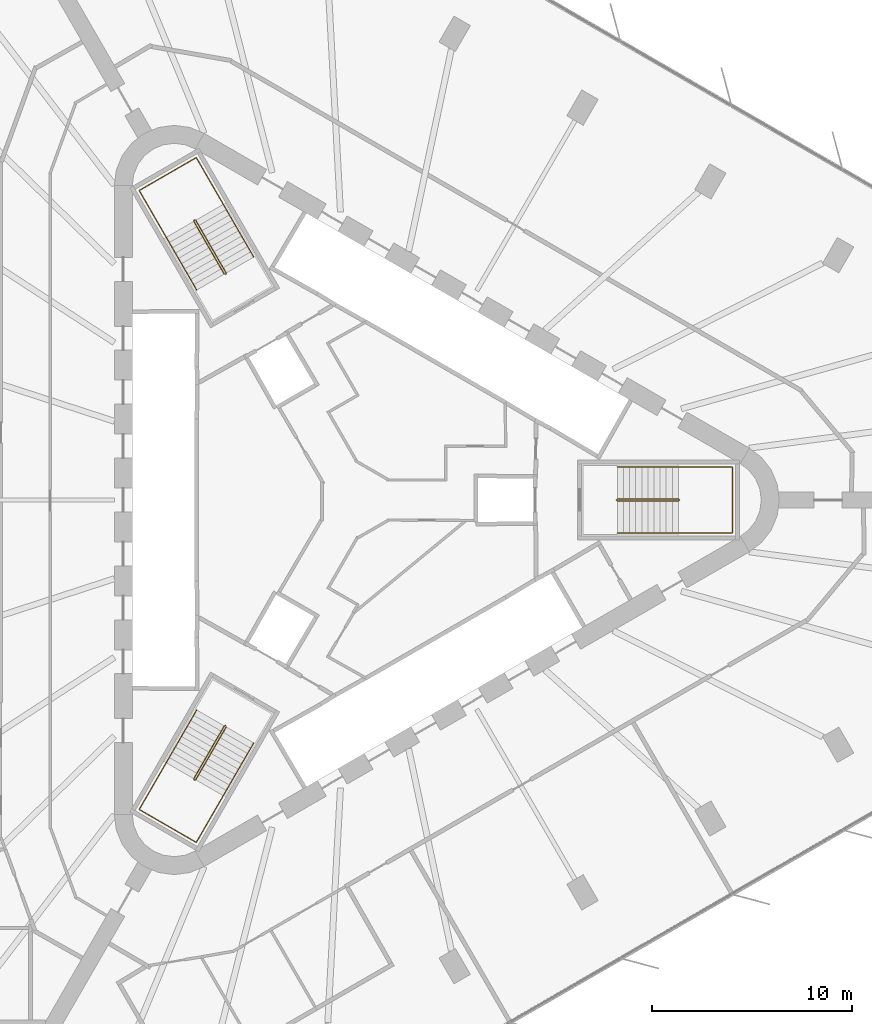
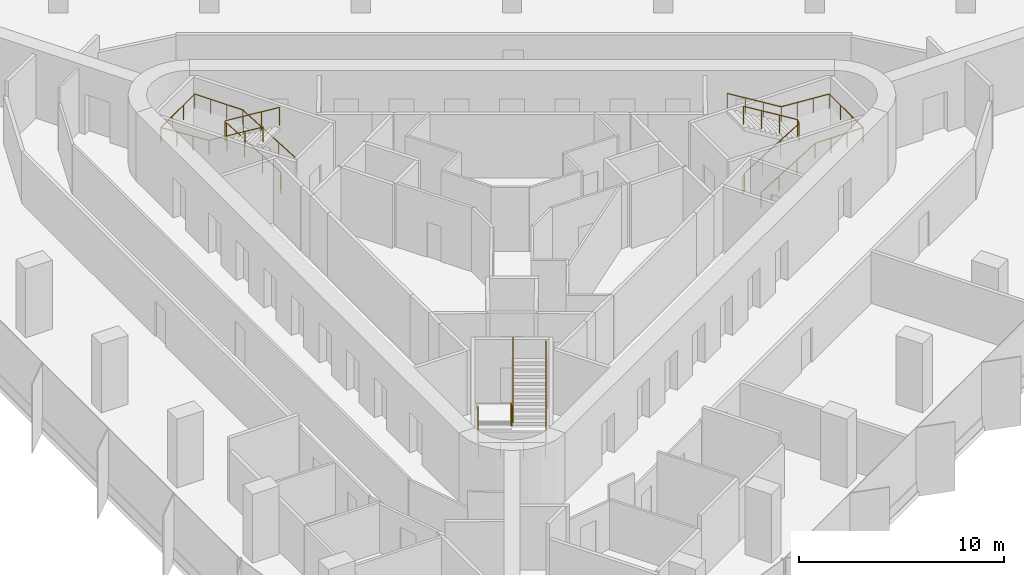
# One storey, part 15 of 15: 6 railings.
"""IFC4 building model written with IfcOpenShell, lengths in metres."""

import ifcopenshell
import ifcopenshell.guid

model = None  # the IFC model being written
_history = None  # IfcOwnerHistory: only IFC2X3 demands one
_inside = {}  # id of a spatial element -> (the spatial element, [elements in it])
_under = {}  # id of a project, library or spatial element -> (it, [spatial elements below it])
_declared = {}  # id of a project -> (the project, [libraries it declares])
_typed = {}  # id of a type object -> (the type object, [elements of that type])
_made_of = {}  # id of a material, layer set ... -> (it, [elements and type objects made of it])


def new_model(schema):
    """Start an empty IFC model of exactly this schema.

    Asked for "IFC4X3", IfcOpenShell would pick the latest addendum, in which some entities
    have other attributes; the version numbers below select the first issue.
    IFC2X3 requires an IfcOwnerHistory on every rooted entity: one is made here for all.
    """
    global model, _history
    if schema == "IFC4X3":
        model = ifcopenshell.file(schema_version=(4, 3, 0, 0))
    else:
        model = ifcopenshell.file(schema=schema)
    _inside.clear()
    _under.clear()
    _declared.clear()
    _typed.clear()
    _made_of.clear()
    _history = None
    if model.schema == "IFC2X3":
        org = make("IfcOrganization", Name="unknown")
        user = make(
            "IfcPersonAndOrganization",
            ThePerson=make("IfcPerson", FamilyName="unknown"),
            TheOrganization=org,
        )
        app = make(
            "IfcApplication",
            ApplicationDeveloper=org,
            Version="unknown",
            ApplicationFullName="unknown",
            ApplicationIdentifier="unknown",
        )
        _history = make(
            "IfcOwnerHistory",
            OwningUser=user,
            OwningApplication=app,
            ChangeAction="ADDED",
            CreationDate=0,
        )
    return model


def make(cls, **values):
    """One entity of the class cls with the attributes given. An attribute that is None is left unset."""
    return model.create_entity(
        cls, **{name: value for name, value in values.items() if value is not None}
    )


def rooted(cls, **values):
    """An entity with a GlobalId (a new one), such as an element, a storey or a relation."""
    return make(cls, GlobalId=ifcopenshell.guid.new(), OwnerHistory=_history, **values)


def si_unit(unit_type, name, prefix=None):
    """IfcSIUnit, for example si_unit("LENGTHUNIT", "METRE", prefix="MILLI")."""
    return make("IfcSIUnit", UnitType=unit_type, Prefix=prefix, Name=name)


def assignment(units):
    """IfcUnitAssignment: the units of a project."""
    return None if units is None else make("IfcUnitAssignment", Units=units)


def point(xyz):
    """IfcCartesianPoint."""
    return None if xyz is None else make("IfcCartesianPoint", Coordinates=xyz)


def direction(xyz):
    """IfcDirection."""
    return None if xyz is None else make("IfcDirection", DirectionRatios=xyz)


def frame(location, z_axis=None, x_axis=None):
    """IfcAxis2Placement3D, a coordinate frame: its origin and axes. An axis left out is left unset."""
    return make(
        "IfcAxis2Placement3D",
        Location=point(location),
        Axis=direction(z_axis),
        RefDirection=direction(x_axis),
    )


def frame_2d(location, x_axis=None):
    """IfcAxis2Placement2D, a coordinate frame in the plane: its origin and x axis."""
    return make(
        "IfcAxis2Placement2D", Location=point(location), RefDirection=direction(x_axis)
    )


def origin():
    """The frame at (0, 0, 0) with its axes left unset."""
    return frame((0.0, 0.0, 0.0))


def origin_2d():
    """The frame at (0, 0) in the plane with its x axis left unset."""
    return frame_2d((0.0, 0.0))


def place(relative_to, where):
    """IfcLocalPlacement: puts the frame where relative to a parent placement (None: the world)."""
    return make(
        "IfcLocalPlacement", PlacementRelTo=relative_to, RelativePlacement=where
    )


def context(
    kind, dimensions, precision=None, world=None, true_north=None, identifier=None
):
    """IfcGeometricRepresentationContext, for example the 3D "Model" context."""
    return make(
        "IfcGeometricRepresentationContext",
        ContextIdentifier=identifier,
        ContextType=kind,
        CoordinateSpaceDimension=dimensions,
        Precision=precision,
        WorldCoordinateSystem=world,
        TrueNorth=true_north,
    )


def subcontext(parent, identifier, kind, view, scale=None):
    """IfcGeometricRepresentationSubContext, for example "Body" below "Model"."""
    return make(
        "IfcGeometricRepresentationSubContext",
        ContextIdentifier=identifier,
        ContextType=kind,
        ParentContext=parent,
        TargetScale=scale,
        TargetView=view,
    )


def project(units=None, contexts=None):
    """IfcProject with its units and contexts."""
    return rooted(
        "IfcProject",
        Name="project",
        RepresentationContexts=contexts,
        UnitsInContext=assignment(units),
    )


def spatial(cls, under=None, at=None, **own):
    """A site, building, storey or space (cls), placed at a placement, below another one or the project."""
    s = rooted(cls, ObjectPlacement=at, **own)
    if under is not None:
        _under.setdefault(under.id(), (under, []))[1].append(s)
    return s


def profile(cls, at=None, kind="AREA", **sizes):
    """A parametric profile (cls). Its sizes go by their IFC names, for example OverallWidth=200.0."""
    return make(cls, ProfileType=kind, Position=at, **sizes)


def circle(**sizes):
    """IfcCircleProfileDef."""
    return profile("IfcCircleProfileDef", **sizes)


def extrude(swept, where, along, depth):
    """IfcExtrudedAreaSolid: the profile swept, set in the frame where, extruded along a direction by depth."""
    return make(
        "IfcExtrudedAreaSolid",
        SweptArea=swept,
        Position=where,
        ExtrudedDirection=direction(along),
        Depth=depth,
    )


def shape(context_of_items, identifier, shape_type, items):
    """IfcShapeRepresentation: the items that make up one representation, for example the "Body"."""
    return make(
        "IfcShapeRepresentation",
        ContextOfItems=context_of_items,
        RepresentationIdentifier=identifier,
        RepresentationType=shape_type,
        Items=items,
    )


def material(Name=None, Category=None):
    """IfcMaterial."""
    return make("IfcMaterial", Name=Name, Category=Category)


def made_of(thing, what):
    """Note that an element or type object is made of a material, layer set ...; save() writes the relation."""
    if what is not None:
        _made_of.setdefault(what.id(), (what, []))[1].append(thing)
    return thing


def type_object(cls, material=None, **own):
    """A type object (cls), such as IfcWallType, which elements share."""
    return made_of(rooted(cls, **own), material)


def element(
    cls,
    number,
    at=None,
    inside=None,
    cuts=None,
    type_object=None,
    material=None,
    context=None,
    identifier="Body",
    shape_type=None,
    held_by="IfcProductDefinitionShape",
    body=None,
    shapes=None,
    **own,
):
    """One element of the class cls, such as IfcWall. Its Tag is "e" and its number.

    at: its placement. inside: the storey or other place that contains it. cuts: it is an
    opening in that element (IfcRelVoidsElement). A single representation is given by context,
    identifier, shape_type and body (its items); several are given by shapes. held_by: the class
    of the entity that holds the representations. save() writes the other relations.
    """
    e = rooted(cls, Tag="e%d" % number, ObjectPlacement=at, **own)
    if body is not None:
        shapes = [shape(context, identifier, shape_type, body)]
    if shapes is not None:
        e.Representation = make(held_by, Representations=shapes)
    if inside is not None:
        _inside.setdefault(inside.id(), (inside, []))[1].append(e)
    if cuts is not None:
        rooted(
            "IfcRelVoidsElement", RelatingBuildingElement=cuts, RelatedOpeningElement=e
        )
    if type_object is not None:
        _typed.setdefault(type_object.id(), (type_object, []))[1].append(e)
    return made_of(e, material)


def aggregate(whole, parts):
    """IfcRelAggregates: a whole, such as a stair, and the parts it consists of."""
    return rooted("IfcRelAggregates", RelatingObject=whole, RelatedObjects=parts)


def save(model, path):
    """Write the relations noted so far, then the file.

    IfcRelAggregates (storeys below a building ...), IfcRelContainedInSpatialStructure (elements
    in a storey), IfcRelDefinesByType, IfcRelAssociatesMaterial and IfcRelDeclares: one each for
    every whole, place, type object, material and project.
    """
    for whole, parts in _under.values():
        aggregate(whole, parts)
    for where, things in _inside.values():
        rooted(
            "IfcRelContainedInSpatialStructure",
            RelatedElements=things,
            RelatingStructure=where,
        )
    for kind, things in _typed.values():
        rooted("IfcRelDefinesByType", RelatedObjects=things, RelatingType=kind)
    for what, things in _made_of.values():
        rooted("IfcRelAssociatesMaterial", RelatedObjects=things, RelatingMaterial=what)
    for by, libraries in _declared.values():
        rooted("IfcRelDeclares", RelatingContext=by, RelatedDefinitions=libraries)
    model.write(path)


model = new_model("IFC4")

# Units and contexts
model_context = context("Model", 3, precision=1e-05, world=origin(), true_north=direction((0.0, 1.0)))
body_context = subcontext(model_context, "Body", "Model", "MODEL_VIEW")
ifc_project = project(units=[si_unit("LENGTHUNIT", "METRE"), si_unit("AREAUNIT", "SQUARE_METRE"), si_unit("VOLUMEUNIT", "CUBIC_METRE"), si_unit("PLANEANGLEUNIT", "RADIAN"), si_unit("MASSUNIT", "GRAM", prefix="KILO")], contexts=[model_context])

# Site, building, storey
site_placement = place(None, origin())
site = spatial("IfcSite", under=ifc_project, at=site_placement, CompositionType="ELEMENT")
building_placement = place(site_placement, origin())
building = spatial("IfcBuilding", under=site, at=building_placement, Name="Tanit Gate Tower", CompositionType="ELEMENT")
storey_placement = place(building_placement, frame((0.0, 0.0, 135.699951171875)))
storey = spatial("IfcBuildingStorey", under=building, at=storey_placement, Name="L29", CompositionType="ELEMENT", Elevation=135.699951171875)

# Railings
ifc_material_1 = material(Name="Stainless steel balustrade", Category="steel")
railing_type_1 = type_object("IfcRailingType", Name="INT-STAIR-GUARD", PredefinedType="GUARDRAIL", material=ifc_material_1)
railing_1_placement = place(storey_placement, frame((13.044921875, 0.0048828125, 0.0)))
element("IfcRailing", 1, at=railing_1_placement, inside=storey, type_object=railing_type_1, Name="L29 S1 stair guard 1", PredefinedType="GUARDRAIL", context=body_context, shape_type="SweptSolid", body=[
    extrude(circle(Radius=0.02392578125, at=origin_2d()), frame((0.0, 0.0, 1.076171875), z_axis=(0.0, -1.0, 0.0), x_axis=(1.0, 0.0, 0.0)), (0.0, 0.0, 1.0), 0.009765625),
    extrude(circle(Radius=0.02392578125, at=origin_2d()), frame((0.0, -0.009765625, 1.076171875), z_axis=(0.250869701741, -0.250869701741, 0.934948546978), x_axis=(0.707106781187, 0.707106781187, 0.0)), (0.0, 0.0, 1.0), 0.199462890625),
    extrude(circle(Radius=0.02392578125, at=origin_2d()), frame((0.050048828125, -0.059814453125, 1.2626953125), z_axis=(0.853405036568, 0.0, 0.521248351134), x_axis=(0.0, 1.0, 0.0)), (0.0, 0.0, 1.0), 3.5751953125),
    extrude(circle(Radius=0.02392578125, at=origin_2d()), frame((3.10107421875, -0.059814453125, 3.1259765625), z_axis=(0.707106781187, 0.707106781187, 0.0), x_axis=(-0.707106781187, 0.707106781187, 0.0)), (0.0, 0.0, 1.0), 0.07080078125),
    extrude(circle(Radius=0.02392578125, at=origin_2d()), frame((3.151123046875, -0.009765625, 3.1259765625), z_axis=(0.0, 1.0, 0.0), x_axis=(-1.0, 0.0, 0.0)), (0.0, 0.0, 1.0), 0.009765625),
    extrude(circle(Radius=0.02392578125, at=origin_2d()), frame((3.151123046875, 0.0, 3.1259765625), z_axis=(-0.251157038772, 0.251157038772, 0.934794246747), x_axis=(-0.707106781187, -0.707106781187, 0.0)), (0.0, 0.0, 1.0), 0.19921875),
    extrude(circle(Radius=0.02392578125, at=origin_2d()), frame((3.10107421875, 0.050048828125, 3.3125), z_axis=(-0.853374658889, 0.0, 0.521298083217), x_axis=(0.0, -1.0, 0.0)), (0.0, 0.0, 1.0), 3.5751953125),
    extrude(circle(Radius=0.02099609375, at=origin_2d()), origin(), (0.0, 0.0, 1.0), 1.052001953125),
    extrude(circle(Radius=0.02099609375, at=origin_2d()), frame((0.0, -0.009765625, 0.0)), (0.0, 0.0, 1.0), 1.052001953125),
    extrude(circle(Radius=0.02099609375, at=origin_2d()), frame((0.050048828125, -0.059814453125, 0.1865234375)), (0.0, 0.0, 1.0), 1.052001953125),
    extrude(circle(Radius=0.02099609375, at=origin_2d()), frame((1.067138671875, -0.059814453125, 0.8076171875)), (0.0, 0.0, 1.0), 1.052001953125),
    extrude(circle(Radius=0.02099609375, at=origin_2d()), frame((2.083984375, -0.059814453125, 1.428955078125)), (0.0, 0.0, 1.0), 1.052001953125),
    extrude(circle(Radius=0.02099609375, at=origin_2d()), frame((3.10107421875, -0.059814453125, 2.050048828125)), (0.0, 0.0, 1.0), 1.052001953125),
    extrude(circle(Radius=0.02099609375, at=origin_2d()), frame((3.151123046875, -0.009765625, 2.050048828125)), (0.0, 0.0, 1.0), 1.052001953125),
    extrude(circle(Radius=0.02099609375, at=origin_2d()), frame((3.151123046875, 0.0, 2.050048828125)), (0.0, 0.0, 1.0), 1.052001953125),
    extrude(circle(Radius=0.02099609375, at=origin_2d()), frame((3.10107421875, 0.050048828125, 2.236328125)), (0.0, 0.0, 1.0), 1.052001953125),
    extrude(circle(Radius=0.02099609375, at=origin_2d()), frame((2.083984375, 0.050048828125, 2.857666015625)), (0.0, 0.0, 1.0), 1.052001953125),
    extrude(circle(Radius=0.02099609375, at=origin_2d()), frame((1.067138671875, 0.050048828125, 3.478759765625)), (0.0, 0.0, 1.0), 1.052001953125),
    extrude(circle(Radius=0.02099609375, at=origin_2d()), frame((0.050048828125, 0.050048828125, 4.10009765625)), (0.0, 0.0, 1.0), 1.052001953125),
])
railing_2_placement = place(storey_placement, frame((-6.527099609375, 11.29345703125, 0.0)))
element("IfcRailing", 2, at=railing_2_placement, inside=storey, type_object=railing_type_1, Name="L29 S2 stair guard 1", PredefinedType="GUARDRAIL", context=body_context, shape_type="SweptSolid", body=[
    extrude(circle(Radius=0.02392578125, at=origin_2d()), frame((0.0, 0.0, 1.076171875), z_axis=(0.868243142124, 0.496138938357, 0.0), x_axis=(-0.496138938357, 0.868243142124, 0.0)), (0.0, 0.0, 1.0), 0.01171875),
    extrude(circle(Radius=0.02392578125, at=origin_2d()), frame((0.01025390625, 0.005859375, 1.076171875), z_axis=(0.09178331637, 0.342657714447, 0.934966049419), x_axis=(-0.965948051503, 0.258736085224, 0.0)), (0.0, 0.0, 1.0), 0.199462890625),
    extrude(circle(Radius=0.02392578125, at=origin_2d()), frame((0.028564453125, 0.07421875, 1.2626953125), z_axis=(-0.426651696395, 0.73893750972, 0.521478366466), x_axis=(-0.866012246495, -0.500022788402, 0.0)), (0.0, 0.0, 1.0), 3.573486328125),
    extrude(circle(Radius=0.02392578125, at=origin_2d()), frame((-1.49609375, 2.71484375, 3.1259765625), z_axis=(-0.965715946433, 0.259601060869, 0.0), x_axis=(-0.259601060869, -0.965715946433, 0.0)), (0.0, 0.0, 1.0), 0.070556640625),
    extrude(circle(Radius=0.02392578125, at=origin_2d()), frame((-1.564208984375, 2.733154296875, 3.1259765625), z_axis=(-0.873197702015, -0.487366159264, 0.0), x_axis=(0.487366159264, -0.873197702015, 0.0)), (0.0, 0.0, 1.0), 0.011962890625),
    extrude(circle(Radius=0.02392578125, at=origin_2d()), frame((-1.57470703125, 2.727294921875, 3.1259765625), z_axis=(-0.091888445584, -0.343050196848, 0.93481178641), x_axis=(0.965948051503, -0.258736085224, 0.0)), (0.0, 0.0, 1.0), 0.19921875),
    extrude(circle(Radius=0.02392578125, at=origin_2d()), frame((-1.593017578125, 2.658935546875, 3.3125), z_axis=(0.426636495959, -0.738911183393, 0.521528104107), x_axis=(0.866012246495, 0.500022788402, 0.0)), (0.0, 0.0, 1.0), 3.57373046875),
    extrude(circle(Radius=0.02099609375, at=origin_2d()), origin(), (0.0, 0.0, 1.0), 1.052001953125),
    extrude(circle(Radius=0.02099609375, at=origin_2d()), frame((0.01025390625, 0.005859375, 0.0)), (0.0, 0.0, 1.0), 1.052001953125),
    extrude(circle(Radius=0.02099609375, at=origin_2d()), frame((0.028564453125, 0.07421875, 0.1865234375)), (0.0, 0.0, 1.0), 1.052001953125),
    extrude(circle(Radius=0.02099609375, at=origin_2d()), frame((-0.479736328125, 0.954345703125, 0.8076171875)), (0.0, 0.0, 1.0), 1.052001953125),
    extrude(circle(Radius=0.02099609375, at=origin_2d()), frame((-0.98779296875, 1.834716796875, 1.428955078125)), (0.0, 0.0, 1.0), 1.052001953125),
    extrude(circle(Radius=0.02099609375, at=origin_2d()), frame((-1.49609375, 2.71484375, 2.050048828125)), (0.0, 0.0, 1.0), 1.052001953125),
    extrude(circle(Radius=0.02099609375, at=origin_2d()), frame((-1.564208984375, 2.733154296875, 2.050048828125)), (0.0, 0.0, 1.0), 1.052001953125),
    extrude(circle(Radius=0.02099609375, at=origin_2d()), frame((-1.57470703125, 2.727294921875, 2.050048828125)), (0.0, 0.0, 1.0), 1.052001953125),
    extrude(circle(Radius=0.02099609375, at=origin_2d()), frame((-1.593017578125, 2.658935546875, 2.236328125)), (0.0, 0.0, 1.0), 1.052001953125),
    extrude(circle(Radius=0.02099609375, at=origin_2d()), frame((-1.084716796875, 1.77880859375, 2.857666015625)), (0.0, 0.0, 1.0), 1.052001953125),
    extrude(circle(Radius=0.02099609375, at=origin_2d()), frame((-0.57666015625, 0.8984375, 3.478759765625)), (0.0, 0.0, 1.0), 1.052001953125),
    extrude(circle(Radius=0.02099609375, at=origin_2d()), frame((-0.068359375, 0.018310546875, 4.10009765625)), (0.0, 0.0, 1.0), 1.052001953125),
])
railing_3_placement = place(storey_placement, frame((-6.51806640625, -11.2998046875, 0.0)))
element("IfcRailing", 3, at=railing_3_placement, inside=storey, type_object=railing_type_1, Name="L29 S3 stair guard 1", PredefinedType="GUARDRAIL", context=body_context, shape_type="SweptSolid", body=[
    extrude(circle(Radius=0.02392578125, at=origin_2d()), frame((0.0, 0.0, 1.076171875), z_axis=(-0.874157276122, 0.485642931179, 0.0), x_axis=(-0.485642931179, -0.874157276122, 0.0)), (0.0, 0.0, 1.0), 0.010009765625),
    extrude(circle(Radius=0.02392578125, at=origin_2d()), frame((-0.0087890625, 0.0048828125, 1.076171875), z_axis=(-0.342695952383, -0.090569644558, 0.935070384359), x_axis=(0.255512919477, -0.966805641264, 0.0)), (0.0, 0.0, 1.0), 0.199462890625),
    extrude(circle(Radius=0.02392578125, at=origin_2d()), frame((-0.0771484375, -0.01318359375, 1.2626953125), z_axis=(-0.426668548982, -0.73908990167, 0.521248565042), x_axis=(0.866048339477, -0.499960272111, 0.0)), (0.0, 0.0, 1.0), 3.5751953125),
    extrude(circle(Radius=0.02392578125, at=origin_2d()), frame((-1.6025390625, -2.655517578125, 3.1259765625), z_axis=(0.258736085224, -0.965948051503, 0.0), x_axis=(0.965948051503, 0.258736085224, 0.0)), (0.0, 0.0, 1.0), 0.07080078125),
    extrude(circle(Radius=0.02392578125, at=origin_2d()), frame((-1.584228515625, -2.723876953125, 3.1259765625), z_axis=(0.868243142124, -0.496138938357, 0.0), x_axis=(0.496138938357, 0.868243142124, 0.0)), (0.0, 0.0, 1.0), 0.009765625),
    extrude(circle(Radius=0.02392578125, at=origin_2d()), frame((-1.57568359375, -2.728759765625, 3.1259765625), z_axis=(0.343050196848, 0.091888445584, 0.93481178641), x_axis=(-0.258736085224, 0.965948051503, 0.0)), (0.0, 0.0, 1.0), 0.19921875),
    extrude(circle(Radius=0.02392578125, at=origin_2d()), frame((-1.50732421875, -2.71044921875, 3.3125), z_axis=(0.42673074944, 0.739011069041, 0.521309416102), x_axis=(-0.865993683553, 0.500054937028, 0.0)), (0.0, 0.0, 1.0), 3.5751953125),
    extrude(circle(Radius=0.02099609375, at=origin_2d()), origin(), (0.0, 0.0, 1.0), 1.052001953125),
    extrude(circle(Radius=0.02099609375, at=origin_2d()), frame((-0.0087890625, 0.0048828125, 0.0)), (0.0, 0.0, 1.0), 1.052001953125),
    extrude(circle(Radius=0.02099609375, at=origin_2d()), frame((-0.0771484375, -0.01318359375, 0.1865234375)), (0.0, 0.0, 1.0), 1.052001953125),
    extrude(circle(Radius=0.02099609375, at=origin_2d()), frame((-0.585693359375, -0.89404296875, 0.8076171875)), (0.0, 0.0, 1.0), 1.052001953125),
    extrude(circle(Radius=0.02099609375, at=origin_2d()), frame((-1.093994140625, -1.774658203125, 1.428955078125)), (0.0, 0.0, 1.0), 1.052001953125),
    extrude(circle(Radius=0.02099609375, at=origin_2d()), frame((-1.6025390625, -2.655517578125, 2.050048828125)), (0.0, 0.0, 1.0), 1.052001953125),
    extrude(circle(Radius=0.02099609375, at=origin_2d()), frame((-1.584228515625, -2.723876953125, 2.050048828125)), (0.0, 0.0, 1.0), 1.052001953125),
    extrude(circle(Radius=0.02099609375, at=origin_2d()), frame((-1.57568359375, -2.728759765625, 2.050048828125)), (0.0, 0.0, 1.0), 1.052001953125),
    extrude(circle(Radius=0.02099609375, at=origin_2d()), frame((-1.50732421875, -2.71044921875, 2.236328125)), (0.0, 0.0, 1.0), 1.052001953125),
    extrude(circle(Radius=0.02099609375, at=origin_2d()), frame((-0.998779296875, -1.829833984375, 2.857666015625)), (0.0, 0.0, 1.0), 1.052001953125),
    extrude(circle(Radius=0.02099609375, at=origin_2d()), frame((-0.490234375, -0.948974609375, 3.478759765625)), (0.0, 0.0, 1.0), 1.052001953125),
    extrude(circle(Radius=0.02099609375, at=origin_2d()), frame((0.018310546875, -0.068359375, 4.10009765625)), (0.0, 0.0, 1.0), 1.052001953125),
])
ifc_material_2 = material(Name="Stainless steel handrail", Category="steel")
railing_type_2 = type_object("IfcRailingType", Name="INT-STAIR-HANDRAIL", PredefinedType="HANDRAIL", material=ifc_material_2)
railing_4_placement = place(storey_placement, frame((13.094970703125, -1.64990234375, 0.1865234375)))
element("IfcRailing", 4, at=railing_4_placement, inside=storey, type_object=railing_type_2, Name="L29 S1 stair handrail 1", PredefinedType="HANDRAIL", context=body_context, shape_type="SweptSolid", body=[
    extrude(circle(Radius=0.02392578125, at=origin_2d()), frame((0.0, 0.0, 0.8759765625), z_axis=(0.853405036568, 0.0, 0.521248351134), x_axis=(0.0, 1.0, 0.0)), (0.0, 0.0, 1.0), 3.5751953125),
    extrude(circle(Radius=0.02392578125, at=origin_2d()), frame((3.051025390625, 0.0, 2.7392578125), z_axis=(1.0, 0.0, 0.0), x_axis=(0.0, 1.0, 0.0)), (0.0, 0.0, 1.0), 2.7041015625),
    extrude(circle(Radius=0.02392578125, at=origin_2d()), frame((5.755126953125, 0.0, 2.7392578125), z_axis=(0.0, 1.0, 0.0), x_axis=(-1.0, 0.0, 0.0)), (0.0, 0.0, 1.0), 3.2998046875),
    extrude(circle(Radius=0.02392578125, at=origin_2d()), frame((5.755126953125, 3.2998046875, 2.7392578125), z_axis=(-0.997635655124, 0.0, 0.06872481084), x_axis=(0.0, -1.0, 0.0)), (0.0, 0.0, 1.0), 2.71044921875),
    extrude(circle(Radius=0.02392578125, at=origin_2d()), frame((3.051025390625, 3.2998046875, 2.92578125), z_axis=(-0.853374658889, 0.0, 0.521298083217), x_axis=(0.0, -1.0, 0.0)), (0.0, 0.0, 1.0), 3.5751953125),
    extrude(circle(Radius=0.02099609375, at=origin_2d()), origin(), (0.0, 0.0, 1.0), 0.851806640625),
    extrude(circle(Radius=0.02099609375, at=origin_2d()), frame((1.01708984375, 0.0, 0.62109375)), (0.0, 0.0, 1.0), 0.851806640625),
    extrude(circle(Radius=0.02099609375, at=origin_2d()), frame((2.033935546875, 0.0, 1.242431640625)), (0.0, 0.0, 1.0), 0.851806640625),
    extrude(circle(Radius=0.02099609375, at=origin_2d()), frame((3.051025390625, 0.0, 1.863525390625)), (0.0, 0.0, 1.0), 0.851806640625),
    extrude(circle(Radius=0.02099609375, at=origin_2d()), frame((3.952392578125, 0.0, 1.863525390625)), (0.0, 0.0, 1.0), 0.851806640625),
    extrude(circle(Radius=0.02099609375, at=origin_2d()), frame((4.853759765625, 0.0, 1.863525390625)), (0.0, 0.0, 1.0), 0.851806640625),
    extrude(circle(Radius=0.02099609375, at=origin_2d()), frame((5.755126953125, 0.0, 1.863525390625)), (0.0, 0.0, 1.0), 0.851806640625),
    extrude(circle(Radius=0.02099609375, at=origin_2d()), frame((5.755126953125, 1.099853515625, 1.863525390625)), (0.0, 0.0, 1.0), 0.851806640625),
    extrude(circle(Radius=0.02099609375, at=origin_2d()), frame((5.755126953125, 2.199951171875, 1.863525390625)), (0.0, 0.0, 1.0), 0.851806640625),
    extrude(circle(Radius=0.02099609375, at=origin_2d()), frame((5.755126953125, 3.2998046875, 1.863525390625)), (0.0, 0.0, 1.0), 0.851806640625),
    extrude(circle(Radius=0.02099609375, at=origin_2d()), frame((4.853759765625, 3.2998046875, 1.925537109375)), (0.0, 0.0, 1.0), 0.851806640625),
    extrude(circle(Radius=0.02099609375, at=origin_2d()), frame((3.952392578125, 3.2998046875, 1.98779296875)), (0.0, 0.0, 1.0), 0.851806640625),
    extrude(circle(Radius=0.02099609375, at=origin_2d()), frame((3.051025390625, 3.2998046875, 2.0498046875)), (0.0, 0.0, 1.0), 0.851806640625),
    extrude(circle(Radius=0.02099609375, at=origin_2d()), frame((2.033935546875, 3.2998046875, 2.671142578125)), (0.0, 0.0, 1.0), 0.851806640625),
    extrude(circle(Radius=0.02099609375, at=origin_2d()), frame((1.01708984375, 3.2998046875, 3.292236328125)), (0.0, 0.0, 1.0), 0.851806640625),
    extrude(circle(Radius=0.02099609375, at=origin_2d()), frame((0.0, 3.2998046875, 3.91357421875)), (0.0, 0.0, 1.0), 0.851806640625),
])
railing_5_placement = place(storey_placement, frame((-5.1181640625, 12.164794921875, 0.1865234375)))
element("IfcRailing", 5, at=railing_5_placement, inside=storey, type_object=railing_type_2, Name="L29 S2 stair handrail 1", PredefinedType="HANDRAIL", context=body_context, shape_type="SweptSolid", body=[
    extrude(circle(Radius=0.02392578125, at=origin_2d()), frame((0.0, 0.0, 0.8759765625), z_axis=(-0.426595811233, 0.738959047773, 0.521493566166), x_axis=(-0.866046917185, -0.499962735845, 0.0)), (0.0, 0.0, 1.0), 3.573486328125),
    extrude(circle(Radius=0.02392578125, at=origin_2d()), frame((-1.5244140625, 2.640625, 2.7392578125), z_axis=(-0.500019123664, 0.86601436245, 0.0), x_axis=(-0.86601436245, -0.500019123664, 0.0)), (0.0, 0.0, 1.0), 2.70703125),
    extrude(circle(Radius=0.02392578125, at=origin_2d()), frame((-2.8779296875, 4.98486328125, 2.7392578125), z_axis=(-0.866008176907, -0.50002983664, 0.0), x_axis=(0.50002983664, -0.866008176907, 0.0)), (0.0, 0.0, 1.0), 3.300048828125),
    extrude(circle(Radius=0.02392578125, at=origin_2d()), frame((-5.73583984375, 3.334716796875, 2.7392578125), z_axis=(0.498878146149, -0.863948246966, 0.06865873476), x_axis=(0.865991810323, 0.500058181068, 0.0)), (0.0, 0.0, 1.0), 2.713134765625),
    extrude(circle(Radius=0.02392578125, at=origin_2d()), frame((-4.38232421875, 0.99072265625, 2.92578125), z_axis=(0.42661496006, -0.738942197433, 0.521501778238), x_axis=(0.866032263162, 0.499988119021, 0.0)), (0.0, 0.0, 1.0), 3.57373046875),
    extrude(circle(Radius=0.02099609375, at=origin_2d()), origin(), (0.0, 0.0, 1.0), 0.851806640625),
    extrude(circle(Radius=0.02099609375, at=origin_2d()), frame((-0.508056640625, 0.880126953125, 0.62109375)), (0.0, 0.0, 1.0), 0.851806640625),
    extrude(circle(Radius=0.02099609375, at=origin_2d()), frame((-1.016357421875, 1.760498046875, 1.242431640625)), (0.0, 0.0, 1.0), 0.851806640625),
    extrude(circle(Radius=0.02099609375, at=origin_2d()), frame((-1.5244140625, 2.640625, 1.863525390625)), (0.0, 0.0, 1.0), 0.851806640625),
    extrude(circle(Radius=0.02099609375, at=origin_2d()), frame((-1.9755859375, 3.422119140625, 1.863525390625)), (0.0, 0.0, 1.0), 0.851806640625),
    extrude(circle(Radius=0.02099609375, at=origin_2d()), frame((-2.4267578125, 4.203369140625, 1.863525390625)), (0.0, 0.0, 1.0), 0.851806640625),
    extrude(circle(Radius=0.02099609375, at=origin_2d()), frame((-2.8779296875, 4.98486328125, 1.863525390625)), (0.0, 0.0, 1.0), 0.851806640625),
    extrude(circle(Radius=0.02099609375, at=origin_2d()), frame((-3.83056640625, 4.434814453125, 1.863525390625)), (0.0, 0.0, 1.0), 0.851806640625),
    extrude(circle(Radius=0.02099609375, at=origin_2d()), frame((-4.783203125, 3.884765625, 1.863525390625)), (0.0, 0.0, 1.0), 0.851806640625),
    extrude(circle(Radius=0.02099609375, at=origin_2d()), frame((-5.73583984375, 3.334716796875, 1.863525390625)), (0.0, 0.0, 1.0), 0.851806640625),
    extrude(circle(Radius=0.02099609375, at=origin_2d()), frame((-5.28466796875, 2.553466796875, 1.925537109375)), (0.0, 0.0, 1.0), 0.851806640625),
    extrude(circle(Radius=0.02099609375, at=origin_2d()), frame((-4.83349609375, 1.77197265625, 1.98779296875)), (0.0, 0.0, 1.0), 0.851806640625),
    extrude(circle(Radius=0.02099609375, at=origin_2d()), frame((-4.38232421875, 0.99072265625, 2.0498046875)), (0.0, 0.0, 1.0), 0.851806640625),
    extrude(circle(Radius=0.02099609375, at=origin_2d()), frame((-3.8740234375, 0.1103515625, 2.671142578125)), (0.0, 0.0, 1.0), 0.851806640625),
    extrude(circle(Radius=0.02099609375, at=origin_2d()), frame((-3.365966796875, -0.769775390625, 3.292236328125)), (0.0, 0.0, 1.0), 0.851806640625),
    extrude(circle(Radius=0.02099609375, at=origin_2d()), frame((-2.857666015625, -1.650146484375, 3.91357421875)), (0.0, 0.0, 1.0), 0.851806640625),
])
railing_6_placement = place(storey_placement, frame((-7.9765625, -10.515625, 0.1865234375)))
element("IfcRailing", 6, at=railing_6_placement, inside=storey, type_object=railing_type_2, Name="L29 S3 stair handrail 1", PredefinedType="HANDRAIL", context=body_context, shape_type="SweptSolid", body=[
    extrude(circle(Radius=0.02392578125, at=origin_2d()), frame((0.0, 0.0, 0.8759765625), z_axis=(-0.426668548982, -0.73908990167, 0.521248565042), x_axis=(0.866048339477, -0.499960272111, 0.0)), (0.0, 0.0, 1.0), 3.5751953125),
    extrude(circle(Radius=0.02392578125, at=origin_2d()), frame((-1.525390625, -2.642333984375, 2.7392578125), z_axis=(-0.50004290449, -0.866000631449, 0.0), x_axis=(0.866000631449, -0.50004290449, 0.0)), (0.0, 0.0, 1.0), 2.703857421875),
    extrude(circle(Radius=0.02392578125, at=origin_2d()), frame((-2.87744140625, -4.98388671875, 2.7392578125), z_axis=(0.866008176907, -0.50002983664, 0.0), x_axis=(0.50002983664, 0.866008176907, 0.0)), (0.0, 0.0, 1.0), 3.300048828125),
    extrude(circle(Radius=0.02392578125, at=origin_2d()), frame((-0.01953125, -6.634033203125, 2.7392578125), z_axis=(0.498821607388, 0.86397559734, 0.068725331607), x_axis=(-0.866023205937, 0.500003806764, 0.0)), (0.0, 0.0, 1.0), 2.71044921875),
    extrude(circle(Radius=0.02392578125, at=origin_2d()), frame((1.33251953125, -4.292236328125, 2.92578125), z_axis=(0.42665336134, 0.739063593114, 0.52129829713), x_axis=(-0.866048339477, 0.499960272111, 0.0)), (0.0, 0.0, 1.0), 3.5751953125),
    extrude(circle(Radius=0.02099609375, at=origin_2d()), origin(), (0.0, 0.0, 1.0), 0.851806640625),
    extrude(circle(Radius=0.02099609375, at=origin_2d()), frame((-0.508544921875, -0.880859375, 0.62109375)), (0.0, 0.0, 1.0), 0.851806640625),
    extrude(circle(Radius=0.02099609375, at=origin_2d()), frame((-1.016845703125, -1.761474609375, 1.242431640625)), (0.0, 0.0, 1.0), 0.851806640625),
    extrude(circle(Radius=0.02099609375, at=origin_2d()), frame((-1.525390625, -2.642333984375, 1.863525390625)), (0.0, 0.0, 1.0), 0.851806640625),
    extrude(circle(Radius=0.02099609375, at=origin_2d()), frame((-1.97607421875, -3.4228515625, 1.863525390625)), (0.0, 0.0, 1.0), 0.851806640625),
    extrude(circle(Radius=0.02099609375, at=origin_2d()), frame((-2.4267578125, -4.203369140625, 1.863525390625)), (0.0, 0.0, 1.0), 0.851806640625),
    extrude(circle(Radius=0.02099609375, at=origin_2d()), frame((-2.87744140625, -4.98388671875, 1.863525390625)), (0.0, 0.0, 1.0), 0.851806640625),
    extrude(circle(Radius=0.02099609375, at=origin_2d()), frame((-1.9248046875, -5.533935546875, 1.863525390625)), (0.0, 0.0, 1.0), 0.851806640625),
    extrude(circle(Radius=0.02099609375, at=origin_2d()), frame((-0.97216796875, -6.083984375, 1.863525390625)), (0.0, 0.0, 1.0), 0.851806640625),
    extrude(circle(Radius=0.02099609375, at=origin_2d()), frame((-0.01953125, -6.634033203125, 1.863525390625)), (0.0, 0.0, 1.0), 0.851806640625),
    extrude(circle(Radius=0.02099609375, at=origin_2d()), frame((0.43115234375, -5.853515625, 1.925537109375)), (0.0, 0.0, 1.0), 0.851806640625),
    extrude(circle(Radius=0.02099609375, at=origin_2d()), frame((0.8818359375, -5.07275390625, 1.98779296875)), (0.0, 0.0, 1.0), 0.851806640625),
    extrude(circle(Radius=0.02099609375, at=origin_2d()), frame((1.33251953125, -4.292236328125, 2.0498046875)), (0.0, 0.0, 1.0), 0.851806640625),
    extrude(circle(Radius=0.02099609375, at=origin_2d()), frame((1.841064453125, -3.411376953125, 2.671142578125)), (0.0, 0.0, 1.0), 0.851806640625),
    extrude(circle(Radius=0.02099609375, at=origin_2d()), frame((2.349365234375, -2.53076171875, 3.292236328125)), (0.0, 0.0, 1.0), 0.851806640625),
    extrude(circle(Radius=0.02099609375, at=origin_2d()), frame((2.85791015625, -1.64990234375, 3.91357421875)), (0.0, 0.0, 1.0), 0.851806640625),
])

save(model, "model.ifc")
